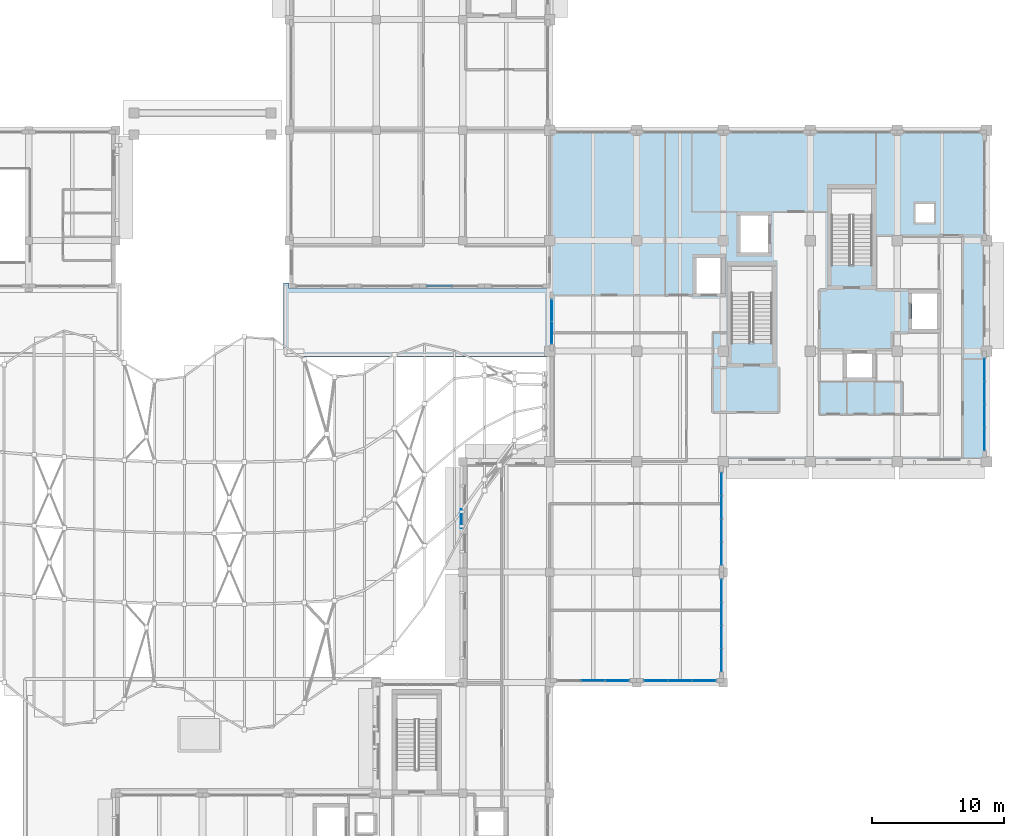
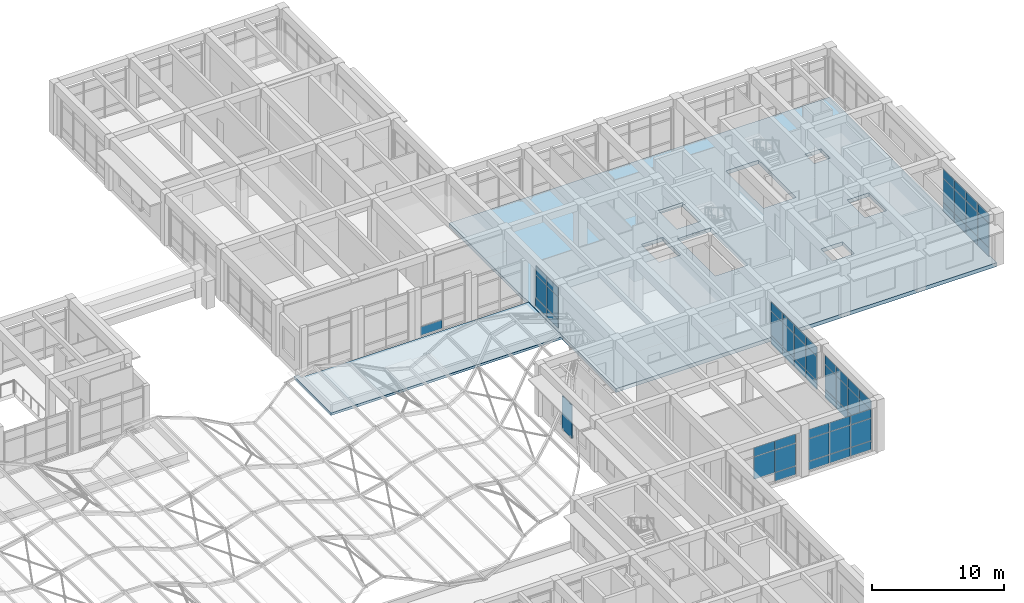
# One storey, part 42 of 79: 58 plates, 2 slabs, 7 elements without a shape of their own.
"""IFC4 building model written with IfcOpenShell, lengths in metres."""

import ifcopenshell
import ifcopenshell.guid

model = None  # the IFC model being written
_history = None  # IfcOwnerHistory: only IFC2X3 demands one
_inside = {}  # id of a spatial element -> (the spatial element, [elements in it])
_under = {}  # id of a project, library or spatial element -> (it, [spatial elements below it])
_declared = {}  # id of a project -> (the project, [libraries it declares])
_typed = {}  # id of a type object -> (the type object, [elements of that type])
_made_of = {}  # id of a material, layer set ... -> (it, [elements and type objects made of it])


def new_model(schema):
    """Start an empty IFC model of exactly this schema.

    Asked for "IFC4X3", IfcOpenShell would pick the latest addendum, in which some entities
    have other attributes; the version numbers below select the first issue.
    IFC2X3 requires an IfcOwnerHistory on every rooted entity: one is made here for all.
    """
    global model, _history
    if schema == "IFC4X3":
        model = ifcopenshell.file(schema_version=(4, 3, 0, 0))
    else:
        model = ifcopenshell.file(schema=schema)
    _inside.clear()
    _under.clear()
    _declared.clear()
    _typed.clear()
    _made_of.clear()
    _history = None
    if model.schema == "IFC2X3":
        org = make("IfcOrganization", Name="unknown")
        user = make(
            "IfcPersonAndOrganization",
            ThePerson=make("IfcPerson", FamilyName="unknown"),
            TheOrganization=org,
        )
        app = make(
            "IfcApplication",
            ApplicationDeveloper=org,
            Version="unknown",
            ApplicationFullName="unknown",
            ApplicationIdentifier="unknown",
        )
        _history = make(
            "IfcOwnerHistory",
            OwningUser=user,
            OwningApplication=app,
            ChangeAction="ADDED",
            CreationDate=0,
        )
    return model


def make(cls, **values):
    """One entity of the class cls with the attributes given. An attribute that is None is left unset."""
    return model.create_entity(
        cls, **{name: value for name, value in values.items() if value is not None}
    )


def rooted(cls, **values):
    """An entity with a GlobalId (a new one), such as an element, a storey or a relation."""
    return make(cls, GlobalId=ifcopenshell.guid.new(), OwnerHistory=_history, **values)


def si_unit(unit_type, name, prefix=None):
    """IfcSIUnit, for example si_unit("LENGTHUNIT", "METRE", prefix="MILLI")."""
    return make("IfcSIUnit", UnitType=unit_type, Prefix=prefix, Name=name)


def assignment(units):
    """IfcUnitAssignment: the units of a project."""
    return None if units is None else make("IfcUnitAssignment", Units=units)


def point(xyz):
    """IfcCartesianPoint."""
    return None if xyz is None else make("IfcCartesianPoint", Coordinates=xyz)


def direction(xyz):
    """IfcDirection."""
    return None if xyz is None else make("IfcDirection", DirectionRatios=xyz)


def frame(location, z_axis=None, x_axis=None):
    """IfcAxis2Placement3D, a coordinate frame: its origin and axes. An axis left out is left unset."""
    return make(
        "IfcAxis2Placement3D",
        Location=point(location),
        Axis=direction(z_axis),
        RefDirection=direction(x_axis),
    )


def frame_2d(location, x_axis=None):
    """IfcAxis2Placement2D, a coordinate frame in the plane: its origin and x axis."""
    return make(
        "IfcAxis2Placement2D", Location=point(location), RefDirection=direction(x_axis)
    )


def origin():
    """The frame at (0, 0, 0) with its axes left unset."""
    return frame((0.0, 0.0, 0.0))


def origin_2d():
    """The frame at (0, 0) in the plane with its x axis left unset."""
    return frame_2d((0.0, 0.0))


def place(relative_to, where):
    """IfcLocalPlacement: puts the frame where relative to a parent placement (None: the world)."""
    return make(
        "IfcLocalPlacement", PlacementRelTo=relative_to, RelativePlacement=where
    )


def context(
    kind, dimensions, precision=None, world=None, true_north=None, identifier=None
):
    """IfcGeometricRepresentationContext, for example the 3D "Model" context."""
    return make(
        "IfcGeometricRepresentationContext",
        ContextIdentifier=identifier,
        ContextType=kind,
        CoordinateSpaceDimension=dimensions,
        Precision=precision,
        WorldCoordinateSystem=world,
        TrueNorth=true_north,
    )


def subcontext(parent, identifier, kind, view, scale=None):
    """IfcGeometricRepresentationSubContext, for example "Body" below "Model"."""
    return make(
        "IfcGeometricRepresentationSubContext",
        ContextIdentifier=identifier,
        ContextType=kind,
        ParentContext=parent,
        TargetScale=scale,
        TargetView=view,
    )


def project(units=None, contexts=None):
    """IfcProject with its units and contexts."""
    return rooted(
        "IfcProject",
        Name="project",
        RepresentationContexts=contexts,
        UnitsInContext=assignment(units),
    )


def spatial(cls, under=None, at=None, **own):
    """A site, building, storey or space (cls), placed at a placement, below another one or the project."""
    s = rooted(cls, ObjectPlacement=at, **own)
    if under is not None:
        _under.setdefault(under.id(), (under, []))[1].append(s)
    return s


def polyline(points):
    """IfcPolyline through the points."""
    return make("IfcPolyline", Points=[point(p) for p in points])


def profile(cls, at=None, kind="AREA", **sizes):
    """A parametric profile (cls). Its sizes go by their IFC names, for example OverallWidth=200.0."""
    return make(cls, ProfileType=kind, Position=at, **sizes)


def rectangle(**sizes):
    """IfcRectangleProfileDef."""
    return profile("IfcRectangleProfileDef", **sizes)


def outline(outer, holes=None, kind="AREA"):
    """IfcArbitraryClosedProfileDef: a profile drawn as a closed curve; with holes, ...WithVoids."""
    if holes is None:
        return make("IfcArbitraryClosedProfileDef", ProfileType=kind, OuterCurve=outer)
    return make(
        "IfcArbitraryProfileDefWithVoids",
        ProfileType=kind,
        OuterCurve=outer,
        InnerCurves=holes,
    )


def extrude(swept, where, along, depth):
    """IfcExtrudedAreaSolid: the profile swept, set in the frame where, extruded along a direction by depth."""
    return make(
        "IfcExtrudedAreaSolid",
        SweptArea=swept,
        Position=where,
        ExtrudedDirection=direction(along),
        Depth=depth,
    )


def shape(context_of_items, identifier, shape_type, items):
    """IfcShapeRepresentation: the items that make up one representation, for example the "Body"."""
    return make(
        "IfcShapeRepresentation",
        ContextOfItems=context_of_items,
        RepresentationIdentifier=identifier,
        RepresentationType=shape_type,
        Items=items,
    )


def material(Name=None, Category=None):
    """IfcMaterial."""
    return make("IfcMaterial", Name=Name, Category=Category)


def layer(
    of_material, thickness, ventilated=None, Name=None, Category=None, Priority=None
):
    """IfcMaterialLayer: one layer of a wall or slab, of a material (None: an air gap)."""
    return make(
        "IfcMaterialLayer",
        Material=of_material,
        LayerThickness=thickness,
        IsVentilated=ventilated,
        Name=Name,
        Category=Category,
        Priority=Priority,
    )


def layer_set(layers, Name=None):
    """IfcMaterialLayerSet."""
    return make("IfcMaterialLayerSet", MaterialLayers=layers, LayerSetName=Name)


def made_of(thing, what):
    """Note that an element or type object is made of a material, layer set ...; save() writes the relation."""
    if what is not None:
        _made_of.setdefault(what.id(), (what, []))[1].append(thing)
    return thing


def type_object(cls, material=None, **own):
    """A type object (cls), such as IfcWallType, which elements share."""
    return made_of(rooted(cls, **own), material)


def element(
    cls,
    number,
    at=None,
    inside=None,
    cuts=None,
    type_object=None,
    material=None,
    context=None,
    identifier="Body",
    shape_type=None,
    held_by="IfcProductDefinitionShape",
    body=None,
    shapes=None,
    **own,
):
    """One element of the class cls, such as IfcWall. Its Tag is "e" and its number.

    at: its placement. inside: the storey or other place that contains it. cuts: it is an
    opening in that element (IfcRelVoidsElement). A single representation is given by context,
    identifier, shape_type and body (its items); several are given by shapes. held_by: the class
    of the entity that holds the representations. save() writes the other relations.
    """
    e = rooted(cls, Tag="e%d" % number, ObjectPlacement=at, **own)
    if body is not None:
        shapes = [shape(context, identifier, shape_type, body)]
    if shapes is not None:
        e.Representation = make(held_by, Representations=shapes)
    if inside is not None:
        _inside.setdefault(inside.id(), (inside, []))[1].append(e)
    if cuts is not None:
        rooted(
            "IfcRelVoidsElement", RelatingBuildingElement=cuts, RelatedOpeningElement=e
        )
    if type_object is not None:
        _typed.setdefault(type_object.id(), (type_object, []))[1].append(e)
    return made_of(e, material)


def aggregate(whole, parts):
    """IfcRelAggregates: a whole, such as a stair, and the parts it consists of."""
    return rooted("IfcRelAggregates", RelatingObject=whole, RelatedObjects=parts)


def save(model, path):
    """Write the relations noted so far, then the file.

    IfcRelAggregates (storeys below a building ...), IfcRelContainedInSpatialStructure (elements
    in a storey), IfcRelDefinesByType, IfcRelAssociatesMaterial and IfcRelDeclares: one each for
    every whole, place, type object, material and project.
    """
    for whole, parts in _under.values():
        aggregate(whole, parts)
    for where, things in _inside.values():
        rooted(
            "IfcRelContainedInSpatialStructure",
            RelatedElements=things,
            RelatingStructure=where,
        )
    for kind, things in _typed.values():
        rooted("IfcRelDefinesByType", RelatedObjects=things, RelatingType=kind)
    for what, things in _made_of.values():
        rooted("IfcRelAssociatesMaterial", RelatedObjects=things, RelatingMaterial=what)
    for by, libraries in _declared.values():
        rooted("IfcRelDeclares", RelatingContext=by, RelatedDefinitions=libraries)
    model.write(path)


model = new_model("IFC4")

# Units and contexts
model_context = context("Model", 3, precision=1e-05, world=origin(), true_north=direction((0.0, 1.0)))
body_context = subcontext(model_context, "Body", "Model", "MODEL_VIEW")
ifc_project = project(units=[si_unit("LENGTHUNIT", "METRE"), si_unit("AREAUNIT", "SQUARE_METRE"), si_unit("VOLUMEUNIT", "CUBIC_METRE"), si_unit("PLANEANGLEUNIT", "RADIAN"), si_unit("MASSUNIT", "GRAM", prefix="KILO")], contexts=[model_context])

# Site, building, storey
site_placement = place(None, origin())
site = spatial("IfcSite", under=ifc_project, at=site_placement, CompositionType="ELEMENT")
building_placement = place(site_placement, origin())
building = spatial("IfcBuilding", under=site, at=building_placement, Name="Kolvaren Faculty of Natural Sciences", CompositionType="ELEMENT")
storey_placement = place(building_placement, frame((0.0, 0.0, 10.199951171875)))
storey = spatial("IfcBuildingStorey", under=building, at=storey_placement, Name="L02", CompositionType="ELEMENT", Elevation=10.199951171875)

# Curtain wall, plates
ifc_material_1 = material(Name="Thermally broken anodised aluminium framing", Category="aluminium")
ifc_layer_1 = layer(ifc_material_1, 0.179931640625)
ifc_layer_set_1 = layer_set([ifc_layer_1], Name="Thermally broken anodised aluminium framing")
curtain_wall_type_1 = type_object("IfcCurtainWallType", Name="CommonsCurtainWall_CW02", PredefinedType="NOTDEFINED", material=ifc_layer_set_1)
curtain_wall_1_placement = place(storey_placement, origin())
curtain_wall_1 = element("IfcCurtainWall", 1, at=curtain_wall_1_placement, inside=storey, type_object=curtain_wall_type_1, Name="L02 unitised curtain wall CW-02 (CW-L02-084)", PredefinedType="NOTDEFINED")
ifc_material_2 = material(Name="Double low-E solar control insulated glazing", Category="glass")
ifc_layer_2 = layer(ifc_material_2, 0.035888671875)
ifc_layer_set_2 = layer_set([ifc_layer_2], Name="Double low-E solar control insulated glazing")
plate_type_1 = type_object("IfcPlateType", Name="EnvelopePlate_CWPGL1", PredefinedType="CURTAIN_PANEL", material=ifc_layer_set_2)
plate_1_placement = place(storey_placement, frame((138.949951171875, 68.800048828125, 0.920166015625), z_axis=(0.0, 0.0, 1.0), x_axis=(0.0, 1.0, 0.0)))
plate_1 = element("IfcPlate", 2, at=plate_1_placement, type_object=plate_type_1, Name="CW-L02-084 panel 1 V1", PredefinedType="CURTAIN_PANEL", context=body_context, shape_type="SweptSolid", body=[
    extrude(rectangle(XDim=1.64990234375, YDim=0.035888671875, at=origin_2d()), origin(), (0.0, 0.0, 1.0), 2.044921875),
])
plate_2_placement = place(storey_placement, frame((138.949951171875, 70.5, 0.920166015625), z_axis=(0.0, 0.0, 1.0), x_axis=(0.0, 1.0, 0.0)))
plate_2 = element("IfcPlate", 3, at=plate_2_placement, type_object=plate_type_1, Name="CW-L02-084 panel 2 V1", PredefinedType="CURTAIN_PANEL", context=body_context, shape_type="SweptSolid", body=[
    extrude(rectangle(XDim=1.64990234375, YDim=0.035888671875, at=origin_2d()), origin(), (0.0, 0.0, 1.0), 2.044921875),
])

ifc_layer_3 = layer(ifc_material_1, 0.179931640625)
ifc_layer_set_3 = layer_set([ifc_layer_3], Name="Thermally broken anodised aluminium framing")
curtain_wall_type_2 = type_object("IfcCurtainWallType", Name="TowerNorthCurtainWall_CW03", PredefinedType="NOTDEFINED", material=ifc_layer_set_3)
curtain_wall_2_placement = place(storey_placement, origin())
curtain_wall_2 = element("IfcCurtainWall", 4, at=curtain_wall_2_placement, inside=storey, type_object=curtain_wall_type_2, Name="L02 unitised curtain wall CW-03 (CW-L02-103)", PredefinedType="NOTDEFINED")
plate_3_placement = place(storey_placement, frame((171.85009765625, 65.97509765625, 0.919921875), z_axis=(0.0, 0.0, 1.0), x_axis=(0.0, -1.0, 0.0)))
plate_3 = element("IfcPlate", 5, at=plate_3_placement, type_object=plate_type_1, Name="CW-L02-103 panel 1 V1", PredefinedType="CURTAIN_PANEL", context=body_context, shape_type="SweptSolid", body=[
    extrude(rectangle(XDim=1.699951171875, YDim=0.035888671875, at=origin_2d()), origin(), (0.0, 0.0, 1.0), 2.195068359375),
])
plate_4_placement = place(storey_placement, frame((171.85009765625, 64.22509765625, 0.919921875), z_axis=(0.0, 0.0, 1.0), x_axis=(0.0, -1.0, 0.0)))
plate_4 = element("IfcPlate", 6, at=plate_4_placement, type_object=plate_type_1, Name="CW-L02-103 panel 2 V1", PredefinedType="CURTAIN_PANEL", context=body_context, shape_type="SweptSolid", body=[
    extrude(rectangle(XDim=1.699951171875, YDim=0.035888671875, at=origin_2d()), origin(), (0.0, 0.0, 1.0), 2.195068359375),
])
plate_5_placement = place(storey_placement, frame((171.85009765625, 62.47509765625, 0.919921875), z_axis=(0.0, 0.0, 1.0), x_axis=(0.0, -1.0, 0.0)))
plate_5 = element("IfcPlate", 7, at=plate_5_placement, type_object=plate_type_1, Name="CW-L02-103 panel 3 V1", PredefinedType="CURTAIN_PANEL", context=body_context, shape_type="SweptSolid", body=[
    extrude(rectangle(XDim=1.699951171875, YDim=0.035888671875, at=origin_2d()), origin(), (0.0, 0.0, 1.0), 2.195068359375),
])
plate_6_placement = place(storey_placement, frame((171.85009765625, 60.72509765625, 0.919921875), z_axis=(0.0, 0.0, 1.0), x_axis=(0.0, -1.0, 0.0)))
plate_6 = element("IfcPlate", 8, at=plate_6_placement, type_object=plate_type_1, Name="CW-L02-103 panel 4 V1", PredefinedType="CURTAIN_PANEL", context=body_context, shape_type="SweptSolid", body=[
    extrude(rectangle(XDim=1.699951171875, YDim=0.035888671875, at=origin_2d()), origin(), (0.0, 0.0, 1.0), 2.195068359375),
])

curtain_wall_3_placement = place(storey_placement, origin())
curtain_wall_3 = element("IfcCurtainWall", 9, at=curtain_wall_3_placement, inside=storey, type_object=curtain_wall_type_2, Name="L02 unitised curtain wall CW-03 (CW-L02-104)", PredefinedType="NOTDEFINED")
plate_7_placement = place(storey_placement, frame((151.85009765625, 57.27490234375, 0.919921875), z_axis=(0.0, 0.0, 1.0), x_axis=(0.0, -1.0, 0.0)))
plate_7 = element("IfcPlate", 10, at=plate_7_placement, type_object=plate_type_1, Name="CW-L02-104 panel 1 V1", PredefinedType="CURTAIN_PANEL", context=body_context, shape_type="SweptSolid", body=[
    extrude(rectangle(XDim=1.699951171875, YDim=0.035888671875, at=origin_2d()), origin(), (0.0, 0.0, 1.0), 2.195068359375),
])
plate_8_placement = place(storey_placement, frame((151.85009765625, 55.52490234375, 0.919921875), z_axis=(0.0, 0.0, 1.0), x_axis=(0.0, -1.0, 0.0)))
plate_8 = element("IfcPlate", 11, at=plate_8_placement, type_object=plate_type_1, Name="CW-L02-104 panel 2 V1", PredefinedType="CURTAIN_PANEL", context=body_context, shape_type="SweptSolid", body=[
    extrude(rectangle(XDim=1.699951171875, YDim=0.035888671875, at=origin_2d()), origin(), (0.0, 0.0, 1.0), 2.195068359375),
])
plate_9_placement = place(storey_placement, frame((151.85009765625, 53.77490234375, 0.919921875), z_axis=(0.0, 0.0, 1.0), x_axis=(0.0, -1.0, 0.0)))
plate_9 = element("IfcPlate", 12, at=plate_9_placement, type_object=plate_type_1, Name="CW-L02-104 panel 3 V1", PredefinedType="CURTAIN_PANEL", context=body_context, shape_type="SweptSolid", body=[
    extrude(rectangle(XDim=1.699951171875, YDim=0.035888671875, at=origin_2d()), origin(), (0.0, 0.0, 1.0), 2.195068359375),
])
plate_10_placement = place(storey_placement, frame((151.85009765625, 52.02490234375, 0.919921875), z_axis=(0.0, 0.0, 1.0), x_axis=(0.0, -1.0, 0.0)))
plate_10 = element("IfcPlate", 13, at=plate_10_placement, type_object=plate_type_1, Name="CW-L02-104 panel 4 V1", PredefinedType="CURTAIN_PANEL", context=body_context, shape_type="SweptSolid", body=[
    extrude(rectangle(XDim=1.699951171875, YDim=0.035888671875, at=origin_2d()), origin(), (0.0, 0.0, 1.0), 2.195068359375),
])

curtain_wall_4_placement = place(storey_placement, origin())
curtain_wall_4 = element("IfcCurtainWall", 14, at=curtain_wall_4_placement, inside=storey, type_object=curtain_wall_type_2, Name="L02 unitised curtain wall CW-03 (CW-L02-105)", PredefinedType="NOTDEFINED")
plate_11_placement = place(storey_placement, frame((151.85009765625, 49.175048828125, 0.919921875), z_axis=(0.0, 0.0, 1.0), x_axis=(0.0, -1.0, 0.0)))
plate_11 = element("IfcPlate", 15, at=plate_11_placement, type_object=plate_type_1, Name="CW-L02-105 panel 1 V1", PredefinedType="CURTAIN_PANEL", context=body_context, shape_type="SweptSolid", body=[
    extrude(rectangle(XDim=1.699951171875, YDim=0.035888671875, at=origin_2d()), origin(), (0.0, 0.0, 1.0), 2.195068359375),
])
plate_12_placement = place(storey_placement, frame((151.85009765625, 47.425048828125, 0.919921875), z_axis=(0.0, 0.0, 1.0), x_axis=(0.0, -1.0, 0.0)))
plate_12 = element("IfcPlate", 16, at=plate_12_placement, type_object=plate_type_1, Name="CW-L02-105 panel 2 V1", PredefinedType="CURTAIN_PANEL", context=body_context, shape_type="SweptSolid", body=[
    extrude(rectangle(XDim=1.699951171875, YDim=0.035888671875, at=origin_2d()), origin(), (0.0, 0.0, 1.0), 2.195068359375),
])
plate_13_placement = place(storey_placement, frame((151.85009765625, 45.675048828125, 0.919921875), z_axis=(0.0, 0.0, 1.0), x_axis=(0.0, -1.0, 0.0)))
plate_13 = element("IfcPlate", 17, at=plate_13_placement, type_object=plate_type_1, Name="CW-L02-105 panel 3 V1", PredefinedType="CURTAIN_PANEL", context=body_context, shape_type="SweptSolid", body=[
    extrude(rectangle(XDim=1.699951171875, YDim=0.035888671875, at=origin_2d()), origin(), (0.0, 0.0, 1.0), 2.195068359375),
])
plate_14_placement = place(storey_placement, frame((151.85009765625, 43.925048828125, 0.919921875), z_axis=(0.0, 0.0, 1.0), x_axis=(0.0, -1.0, 0.0)))
plate_14 = element("IfcPlate", 18, at=plate_14_placement, type_object=plate_type_1, Name="CW-L02-105 panel 4 V1", PredefinedType="CURTAIN_PANEL", context=body_context, shape_type="SweptSolid", body=[
    extrude(rectangle(XDim=1.699951171875, YDim=0.035888671875, at=origin_2d()), origin(), (0.0, 0.0, 1.0), 2.195068359375),
])

curtain_wall_5_placement = place(storey_placement, origin())
curtain_wall_5 = element("IfcCurtainWall", 19, at=curtain_wall_5_placement, inside=storey, type_object=curtain_wall_type_1, Name="L02 unitised curtain wall CW-02 (CW-L02-106)", PredefinedType="NOTDEFINED")
plate_15_placement = place(storey_placement, frame((150.533203125, 42.35009765625, 0.920166015625), z_axis=(0.0, 0.0, 1.0), x_axis=(-1.0, 0.0, 0.0)))
plate_15 = element("IfcPlate", 20, at=plate_15_placement, type_object=plate_type_1, Name="CW-L02-106 panel 1 V1", PredefinedType="CURTAIN_PANEL", context=body_context, shape_type="SweptSolid", body=[
    extrude(rectangle(XDim=1.783203125, YDim=0.035888671875, at=origin_2d()), origin(), (0.0, 0.0, 1.0), 2.044921875),
])
plate_16_placement = place(storey_placement, frame((148.699951171875, 42.35009765625, 0.920166015625), z_axis=(0.0, 0.0, 1.0), x_axis=(-1.0, 0.0, 0.0)))
plate_16 = element("IfcPlate", 21, at=plate_16_placement, type_object=plate_type_1, Name="CW-L02-106 panel 2 V1", PredefinedType="CURTAIN_PANEL", context=body_context, shape_type="SweptSolid", body=[
    extrude(rectangle(XDim=1.783203125, YDim=0.035888671875, at=origin_2d()), origin(), (0.0, 0.0, 1.0), 2.044921875),
])
plate_17_placement = place(storey_placement, frame((146.86669921875, 42.35009765625, 0.920166015625), z_axis=(0.0, 0.0, 1.0), x_axis=(-1.0, 0.0, 0.0)))
plate_17 = element("IfcPlate", 22, at=plate_17_placement, type_object=plate_type_1, Name="CW-L02-106 panel 3 V1", PredefinedType="CURTAIN_PANEL", context=body_context, shape_type="SweptSolid", body=[
    extrude(rectangle(XDim=1.783203125, YDim=0.035888671875, at=origin_2d()), origin(), (0.0, 0.0, 1.0), 2.044921875),
])

curtain_wall_6_placement = place(storey_placement, origin())
curtain_wall_6 = element("IfcCurtainWall", 23, at=curtain_wall_6_placement, inside=storey, type_object=curtain_wall_type_1, Name="L02 unitised curtain wall CW-02 (CW-L02-107)", PredefinedType="NOTDEFINED")
plate_18_placement = place(storey_placement, frame((143.933349609375, 42.35009765625, 0.920166015625), z_axis=(0.0, 0.0, 1.0), x_axis=(-1.0, 0.0, 0.0)))
plate_18 = element("IfcPlate", 24, at=plate_18_placement, type_object=plate_type_1, Name="CW-L02-107 panel 1 V1", PredefinedType="CURTAIN_PANEL", context=body_context, shape_type="SweptSolid", body=[
    extrude(rectangle(XDim=1.783203125, YDim=0.035888671875, at=origin_2d()), origin(), (0.0, 0.0, 1.0), 2.044921875),
])
plate_19_placement = place(storey_placement, frame((142.10009765625, 42.35009765625, 0.920166015625), z_axis=(0.0, 0.0, 1.0), x_axis=(-1.0, 0.0, 0.0)))
plate_19 = element("IfcPlate", 25, at=plate_19_placement, type_object=plate_type_1, Name="CW-L02-107 panel 2 V1", PredefinedType="CURTAIN_PANEL", context=body_context, shape_type="SweptSolid", body=[
    extrude(rectangle(XDim=1.783203125, YDim=0.035888671875, at=origin_2d()), origin(), (0.0, 0.0, 1.0), 2.044921875),
])

# Plate
ifc_layer_4 = layer(ifc_material_2, 0.035888671875)
ifc_layer_set_4 = layer_set([ifc_layer_4], Name="Double low-E solar control insulated glazing")
plate_type_2 = type_object("IfcPlateType", Name="EnvelopePlate_CWPGL2", PredefinedType="CURTAIN_PANEL", material=ifc_layer_set_4)
plate_20_placement = place(storey_placement, frame((138.949951171875, 68.800048828125, 3.005126953125), z_axis=(0.0, 0.0, 1.0), x_axis=(0.0, 1.0, 0.0)))
plate_20 = element("IfcPlate", 26, at=plate_20_placement, type_object=plate_type_2, Name="CW-L02-084 panel 1 V2", PredefinedType="CURTAIN_PANEL", context=body_context, shape_type="SweptSolid", body=[
    extrude(rectangle(XDim=1.64990234375, YDim=0.035888671875, at=origin_2d()), origin(), (0.0, 0.0, 1.0), 0.830078125),
])

plate_21_placement = place(storey_placement, frame((138.949951171875, 70.5, 3.005126953125), z_axis=(0.0, 0.0, 1.0), x_axis=(0.0, 1.0, 0.0)))
plate_21 = element("IfcPlate", 27, at=plate_21_placement, type_object=plate_type_2, Name="CW-L02-084 panel 2 V2", PredefinedType="CURTAIN_PANEL", context=body_context, shape_type="SweptSolid", body=[
    extrude(rectangle(XDim=1.64990234375, YDim=0.035888671875, at=origin_2d()), origin(), (0.0, 0.0, 1.0), 0.830078125),
])

plate_22_placement = place(storey_placement, frame((171.85009765625, 65.97509765625, 3.155029296875), z_axis=(0.0, 0.0, 1.0), x_axis=(0.0, -1.0, 0.0)))
plate_22 = element("IfcPlate", 28, at=plate_22_placement, type_object=plate_type_2, Name="CW-L02-103 panel 1 V2", PredefinedType="CURTAIN_PANEL", context=body_context, shape_type="SweptSolid", body=[
    extrude(rectangle(XDim=1.699951171875, YDim=0.035888671875, at=origin_2d()), origin(), (0.0, 0.0, 1.0), 0.830078125),
])

plate_23_placement = place(storey_placement, frame((171.85009765625, 64.22509765625, 3.155029296875), z_axis=(0.0, 0.0, 1.0), x_axis=(0.0, -1.0, 0.0)))
plate_23 = element("IfcPlate", 29, at=plate_23_placement, type_object=plate_type_2, Name="CW-L02-103 panel 2 V2", PredefinedType="CURTAIN_PANEL", context=body_context, shape_type="SweptSolid", body=[
    extrude(rectangle(XDim=1.699951171875, YDim=0.035888671875, at=origin_2d()), origin(), (0.0, 0.0, 1.0), 0.830078125),
])

plate_24_placement = place(storey_placement, frame((171.85009765625, 62.47509765625, 3.155029296875), z_axis=(0.0, 0.0, 1.0), x_axis=(0.0, -1.0, 0.0)))
plate_24 = element("IfcPlate", 30, at=plate_24_placement, type_object=plate_type_2, Name="CW-L02-103 panel 3 V2", PredefinedType="CURTAIN_PANEL", context=body_context, shape_type="SweptSolid", body=[
    extrude(rectangle(XDim=1.699951171875, YDim=0.035888671875, at=origin_2d()), origin(), (0.0, 0.0, 1.0), 0.830078125),
])

plate_25_placement = place(storey_placement, frame((171.85009765625, 60.72509765625, 3.155029296875), z_axis=(0.0, 0.0, 1.0), x_axis=(0.0, -1.0, 0.0)))
plate_25 = element("IfcPlate", 31, at=plate_25_placement, type_object=plate_type_2, Name="CW-L02-103 panel 4 V2", PredefinedType="CURTAIN_PANEL", context=body_context, shape_type="SweptSolid", body=[
    extrude(rectangle(XDim=1.699951171875, YDim=0.035888671875, at=origin_2d()), origin(), (0.0, 0.0, 1.0), 0.830078125),
])

plate_26_placement = place(storey_placement, frame((151.85009765625, 57.27490234375, 3.155029296875), z_axis=(0.0, 0.0, 1.0), x_axis=(0.0, -1.0, 0.0)))
plate_26 = element("IfcPlate", 32, at=plate_26_placement, type_object=plate_type_2, Name="CW-L02-104 panel 1 V2", PredefinedType="CURTAIN_PANEL", context=body_context, shape_type="SweptSolid", body=[
    extrude(rectangle(XDim=1.699951171875, YDim=0.035888671875, at=origin_2d()), origin(), (0.0, 0.0, 1.0), 0.830078125),
])

plate_27_placement = place(storey_placement, frame((151.85009765625, 55.52490234375, 3.155029296875), z_axis=(0.0, 0.0, 1.0), x_axis=(0.0, -1.0, 0.0)))
plate_27 = element("IfcPlate", 33, at=plate_27_placement, type_object=plate_type_2, Name="CW-L02-104 panel 2 V2", PredefinedType="CURTAIN_PANEL", context=body_context, shape_type="SweptSolid", body=[
    extrude(rectangle(XDim=1.699951171875, YDim=0.035888671875, at=origin_2d()), origin(), (0.0, 0.0, 1.0), 0.830078125),
])

plate_28_placement = place(storey_placement, frame((151.85009765625, 53.77490234375, 3.155029296875), z_axis=(0.0, 0.0, 1.0), x_axis=(0.0, -1.0, 0.0)))
plate_28 = element("IfcPlate", 34, at=plate_28_placement, type_object=plate_type_2, Name="CW-L02-104 panel 3 V2", PredefinedType="CURTAIN_PANEL", context=body_context, shape_type="SweptSolid", body=[
    extrude(rectangle(XDim=1.699951171875, YDim=0.035888671875, at=origin_2d()), origin(), (0.0, 0.0, 1.0), 0.830078125),
])

plate_29_placement = place(storey_placement, frame((151.85009765625, 52.02490234375, 3.155029296875), z_axis=(0.0, 0.0, 1.0), x_axis=(0.0, -1.0, 0.0)))
plate_29 = element("IfcPlate", 35, at=plate_29_placement, type_object=plate_type_2, Name="CW-L02-104 panel 4 V2", PredefinedType="CURTAIN_PANEL", context=body_context, shape_type="SweptSolid", body=[
    extrude(rectangle(XDim=1.699951171875, YDim=0.035888671875, at=origin_2d()), origin(), (0.0, 0.0, 1.0), 0.830078125),
])

plate_30_placement = place(storey_placement, frame((151.85009765625, 49.175048828125, 3.155029296875), z_axis=(0.0, 0.0, 1.0), x_axis=(0.0, -1.0, 0.0)))
plate_30 = element("IfcPlate", 36, at=plate_30_placement, type_object=plate_type_2, Name="CW-L02-105 panel 1 V2", PredefinedType="CURTAIN_PANEL", context=body_context, shape_type="SweptSolid", body=[
    extrude(rectangle(XDim=1.699951171875, YDim=0.035888671875, at=origin_2d()), origin(), (0.0, 0.0, 1.0), 0.830078125),
])

plate_31_placement = place(storey_placement, frame((151.85009765625, 47.425048828125, 3.155029296875), z_axis=(0.0, 0.0, 1.0), x_axis=(0.0, -1.0, 0.0)))
plate_31 = element("IfcPlate", 37, at=plate_31_placement, type_object=plate_type_2, Name="CW-L02-105 panel 2 V2", PredefinedType="CURTAIN_PANEL", context=body_context, shape_type="SweptSolid", body=[
    extrude(rectangle(XDim=1.699951171875, YDim=0.035888671875, at=origin_2d()), origin(), (0.0, 0.0, 1.0), 0.830078125),
])

plate_32_placement = place(storey_placement, frame((151.85009765625, 45.675048828125, 3.155029296875), z_axis=(0.0, 0.0, 1.0), x_axis=(0.0, -1.0, 0.0)))
plate_32 = element("IfcPlate", 38, at=plate_32_placement, type_object=plate_type_2, Name="CW-L02-105 panel 3 V2", PredefinedType="CURTAIN_PANEL", context=body_context, shape_type="SweptSolid", body=[
    extrude(rectangle(XDim=1.699951171875, YDim=0.035888671875, at=origin_2d()), origin(), (0.0, 0.0, 1.0), 0.830078125),
])

plate_33_placement = place(storey_placement, frame((151.85009765625, 43.925048828125, 3.155029296875), z_axis=(0.0, 0.0, 1.0), x_axis=(0.0, -1.0, 0.0)))
plate_33 = element("IfcPlate", 39, at=plate_33_placement, type_object=plate_type_2, Name="CW-L02-105 panel 4 V2", PredefinedType="CURTAIN_PANEL", context=body_context, shape_type="SweptSolid", body=[
    extrude(rectangle(XDim=1.699951171875, YDim=0.035888671875, at=origin_2d()), origin(), (0.0, 0.0, 1.0), 0.830078125),
])

plate_34_placement = place(storey_placement, frame((150.533203125, 42.35009765625, 3.005126953125), z_axis=(0.0, 0.0, 1.0), x_axis=(-1.0, 0.0, 0.0)))
plate_34 = element("IfcPlate", 40, at=plate_34_placement, type_object=plate_type_2, Name="CW-L02-106 panel 1 V2", PredefinedType="CURTAIN_PANEL", context=body_context, shape_type="SweptSolid", body=[
    extrude(rectangle(XDim=1.783203125, YDim=0.035888671875, at=origin_2d()), origin(), (0.0, 0.0, 1.0), 0.830078125),
])

plate_35_placement = place(storey_placement, frame((148.699951171875, 42.35009765625, 3.005126953125), z_axis=(0.0, 0.0, 1.0), x_axis=(-1.0, 0.0, 0.0)))
plate_35 = element("IfcPlate", 41, at=plate_35_placement, type_object=plate_type_2, Name="CW-L02-106 panel 2 V2", PredefinedType="CURTAIN_PANEL", context=body_context, shape_type="SweptSolid", body=[
    extrude(rectangle(XDim=1.783203125, YDim=0.035888671875, at=origin_2d()), origin(), (0.0, 0.0, 1.0), 0.830078125),
])

plate_36_placement = place(storey_placement, frame((146.86669921875, 42.35009765625, 3.005126953125), z_axis=(0.0, 0.0, 1.0), x_axis=(-1.0, 0.0, 0.0)))
plate_36 = element("IfcPlate", 42, at=plate_36_placement, type_object=plate_type_2, Name="CW-L02-106 panel 3 V2", PredefinedType="CURTAIN_PANEL", context=body_context, shape_type="SweptSolid", body=[
    extrude(rectangle(XDim=1.783203125, YDim=0.035888671875, at=origin_2d()), origin(), (0.0, 0.0, 1.0), 0.830078125),
])

plate_37_placement = place(storey_placement, frame((143.933349609375, 42.35009765625, 3.005126953125), z_axis=(0.0, 0.0, 1.0), x_axis=(-1.0, 0.0, 0.0)))
plate_37 = element("IfcPlate", 43, at=plate_37_placement, type_object=plate_type_2, Name="CW-L02-107 panel 1 V2", PredefinedType="CURTAIN_PANEL", context=body_context, shape_type="SweptSolid", body=[
    extrude(rectangle(XDim=1.783203125, YDim=0.035888671875, at=origin_2d()), origin(), (0.0, 0.0, 1.0), 0.830078125),
])

plate_38_placement = place(storey_placement, frame((142.10009765625, 42.35009765625, 3.005126953125), z_axis=(0.0, 0.0, 1.0), x_axis=(-1.0, 0.0, 0.0)))
plate_38 = element("IfcPlate", 44, at=plate_38_placement, type_object=plate_type_2, Name="CW-L02-107 panel 2 V2", PredefinedType="CURTAIN_PANEL", context=body_context, shape_type="SweptSolid", body=[
    extrude(rectangle(XDim=1.783203125, YDim=0.035888671875, at=origin_2d()), origin(), (0.0, 0.0, 1.0), 0.830078125),
])

ifc_material_3 = material(Name="Insulated anodised aluminium spandrel panel", Category="aluminium")
ifc_layer_5 = layer(ifc_material_3, 0.050048828125)
ifc_layer_set_5 = layer_set([ifc_layer_5], Name="Insulated anodised aluminium spandrel panel")
plate_type_3 = type_object("IfcPlateType", Name="EnvelopePlate_CWPSP1", PredefinedType="SHEET", material=ifc_layer_set_5)
plate_39_placement = place(storey_placement, frame((138.949951171875, 68.800048828125, 0.10009765625), z_axis=(0.0, 0.0, 1.0), x_axis=(0.0, 1.0, 0.0)))
plate_39 = element("IfcPlate", 45, at=plate_39_placement, type_object=plate_type_3, Name="CW-L02-084 panel 1 SP", PredefinedType="SHEET", context=body_context, shape_type="SweptSolid", body=[
    extrude(rectangle(XDim=1.64990234375, YDim=0.050048828125, at=origin_2d()), origin(), (0.0, 0.0, 1.0), 0.780029296875),
])

plate_40_placement = place(storey_placement, frame((138.949951171875, 70.5, 0.10009765625), z_axis=(0.0, 0.0, 1.0), x_axis=(0.0, 1.0, 0.0)))
plate_40 = element("IfcPlate", 46, at=plate_40_placement, type_object=plate_type_3, Name="CW-L02-084 panel 2 SP", PredefinedType="SHEET", context=body_context, shape_type="SweptSolid", body=[
    extrude(rectangle(XDim=1.64990234375, YDim=0.050048828125, at=origin_2d()), origin(), (0.0, 0.0, 1.0), 0.780029296875),
])

aggregate(curtain_wall_1, [plate_39, plate_1, plate_20, plate_40, plate_2, plate_21])

# Curtain wall, plate
curtain_wall_7_placement = place(storey_placement, origin())
curtain_wall_7 = element("IfcCurtainWall", 47, at=curtain_wall_7_placement, inside=storey, type_object=curtain_wall_type_1, Name="L02 unitised curtain wall CW-02 (CW-L02-086)", PredefinedType="NOTDEFINED")
plate_41_placement = place(storey_placement, frame((130.41259765625, 72.35009765625, 0.10009765625), z_axis=(0.0, 0.0, 1.0), x_axis=(-1.0, 0.0, 0.0)))
plate_41 = element("IfcPlate", 48, at=plate_41_placement, type_object=plate_type_3, Name="CW-L02-086 panel 2 SP", PredefinedType="SHEET", context=body_context, shape_type="SweptSolid", body=[
    extrude(rectangle(XDim=1.875, YDim=0.050048828125, at=origin_2d()), origin(), (0.0, 0.0, 1.0), 0.780029296875),
])
aggregate(curtain_wall_7, [plate_41])

# Plate
plate_42_placement = place(storey_placement, frame((171.85009765625, 65.97509765625, 0.10009765625), z_axis=(0.0, 0.0, 1.0), x_axis=(0.0, -1.0, 0.0)))
plate_42 = element("IfcPlate", 49, at=plate_42_placement, type_object=plate_type_3, Name="CW-L02-103 panel 1 SP", PredefinedType="SHEET", context=body_context, shape_type="SweptSolid", body=[
    extrude(rectangle(XDim=1.699951171875, YDim=0.050048828125, at=origin_2d()), origin(), (0.0, 0.0, 1.0), 0.780029296875),
])

plate_43_placement = place(storey_placement, frame((171.85009765625, 64.22509765625, 0.10009765625), z_axis=(0.0, 0.0, 1.0), x_axis=(0.0, -1.0, 0.0)))
plate_43 = element("IfcPlate", 50, at=plate_43_placement, type_object=plate_type_3, Name="CW-L02-103 panel 2 SP", PredefinedType="SHEET", context=body_context, shape_type="SweptSolid", body=[
    extrude(rectangle(XDim=1.699951171875, YDim=0.050048828125, at=origin_2d()), origin(), (0.0, 0.0, 1.0), 0.780029296875),
])

plate_44_placement = place(storey_placement, frame((171.85009765625, 62.47509765625, 0.10009765625), z_axis=(0.0, 0.0, 1.0), x_axis=(0.0, -1.0, 0.0)))
plate_44 = element("IfcPlate", 51, at=plate_44_placement, type_object=plate_type_3, Name="CW-L02-103 panel 3 SP", PredefinedType="SHEET", context=body_context, shape_type="SweptSolid", body=[
    extrude(rectangle(XDim=1.699951171875, YDim=0.050048828125, at=origin_2d()), origin(), (0.0, 0.0, 1.0), 0.780029296875),
])

plate_45_placement = place(storey_placement, frame((171.85009765625, 60.72509765625, 0.10009765625), z_axis=(0.0, 0.0, 1.0), x_axis=(0.0, -1.0, 0.0)))
plate_45 = element("IfcPlate", 52, at=plate_45_placement, type_object=plate_type_3, Name="CW-L02-103 panel 4 SP", PredefinedType="SHEET", context=body_context, shape_type="SweptSolid", body=[
    extrude(rectangle(XDim=1.699951171875, YDim=0.050048828125, at=origin_2d()), origin(), (0.0, 0.0, 1.0), 0.780029296875),
])

aggregate(curtain_wall_2, [plate_42, plate_3, plate_22, plate_43, plate_4, plate_23, plate_44, plate_5, plate_24, plate_45, plate_6, plate_25])

plate_46_placement = place(storey_placement, frame((151.85009765625, 57.27490234375, 0.10009765625), z_axis=(0.0, 0.0, 1.0), x_axis=(0.0, -1.0, 0.0)))
plate_46 = element("IfcPlate", 53, at=plate_46_placement, type_object=plate_type_3, Name="CW-L02-104 panel 1 SP", PredefinedType="SHEET", context=body_context, shape_type="SweptSolid", body=[
    extrude(rectangle(XDim=1.699951171875, YDim=0.050048828125, at=origin_2d()), origin(), (0.0, 0.0, 1.0), 0.780029296875),
])

plate_47_placement = place(storey_placement, frame((151.85009765625, 55.52490234375, 0.10009765625), z_axis=(0.0, 0.0, 1.0), x_axis=(0.0, -1.0, 0.0)))
plate_47 = element("IfcPlate", 54, at=plate_47_placement, type_object=plate_type_3, Name="CW-L02-104 panel 2 SP", PredefinedType="SHEET", context=body_context, shape_type="SweptSolid", body=[
    extrude(rectangle(XDim=1.699951171875, YDim=0.050048828125, at=origin_2d()), origin(), (0.0, 0.0, 1.0), 0.780029296875),
])

plate_48_placement = place(storey_placement, frame((151.85009765625, 53.77490234375, 0.10009765625), z_axis=(0.0, 0.0, 1.0), x_axis=(0.0, -1.0, 0.0)))
plate_48 = element("IfcPlate", 55, at=plate_48_placement, type_object=plate_type_3, Name="CW-L02-104 panel 3 SP", PredefinedType="SHEET", context=body_context, shape_type="SweptSolid", body=[
    extrude(rectangle(XDim=1.699951171875, YDim=0.050048828125, at=origin_2d()), origin(), (0.0, 0.0, 1.0), 0.780029296875),
])

plate_49_placement = place(storey_placement, frame((151.85009765625, 52.02490234375, 0.10009765625), z_axis=(0.0, 0.0, 1.0), x_axis=(0.0, -1.0, 0.0)))
plate_49 = element("IfcPlate", 56, at=plate_49_placement, type_object=plate_type_3, Name="CW-L02-104 panel 4 SP", PredefinedType="SHEET", context=body_context, shape_type="SweptSolid", body=[
    extrude(rectangle(XDim=1.699951171875, YDim=0.050048828125, at=origin_2d()), origin(), (0.0, 0.0, 1.0), 0.780029296875),
])

aggregate(curtain_wall_3, [plate_46, plate_7, plate_26, plate_47, plate_8, plate_27, plate_48, plate_9, plate_28, plate_49, plate_10, plate_29])

plate_50_placement = place(storey_placement, frame((151.85009765625, 49.175048828125, 0.10009765625), z_axis=(0.0, 0.0, 1.0), x_axis=(0.0, -1.0, 0.0)))
plate_50 = element("IfcPlate", 57, at=plate_50_placement, type_object=plate_type_3, Name="CW-L02-105 panel 1 SP", PredefinedType="SHEET", context=body_context, shape_type="SweptSolid", body=[
    extrude(rectangle(XDim=1.699951171875, YDim=0.050048828125, at=origin_2d()), origin(), (0.0, 0.0, 1.0), 0.780029296875),
])

plate_51_placement = place(storey_placement, frame((151.85009765625, 47.425048828125, 0.10009765625), z_axis=(0.0, 0.0, 1.0), x_axis=(0.0, -1.0, 0.0)))
plate_51 = element("IfcPlate", 58, at=plate_51_placement, type_object=plate_type_3, Name="CW-L02-105 panel 2 SP", PredefinedType="SHEET", context=body_context, shape_type="SweptSolid", body=[
    extrude(rectangle(XDim=1.699951171875, YDim=0.050048828125, at=origin_2d()), origin(), (0.0, 0.0, 1.0), 0.780029296875),
])

plate_52_placement = place(storey_placement, frame((151.85009765625, 45.675048828125, 0.10009765625), z_axis=(0.0, 0.0, 1.0), x_axis=(0.0, -1.0, 0.0)))
plate_52 = element("IfcPlate", 59, at=plate_52_placement, type_object=plate_type_3, Name="CW-L02-105 panel 3 SP", PredefinedType="SHEET", context=body_context, shape_type="SweptSolid", body=[
    extrude(rectangle(XDim=1.699951171875, YDim=0.050048828125, at=origin_2d()), origin(), (0.0, 0.0, 1.0), 0.780029296875),
])

plate_53_placement = place(storey_placement, frame((151.85009765625, 43.925048828125, 0.10009765625), z_axis=(0.0, 0.0, 1.0), x_axis=(0.0, -1.0, 0.0)))
plate_53 = element("IfcPlate", 60, at=plate_53_placement, type_object=plate_type_3, Name="CW-L02-105 panel 4 SP", PredefinedType="SHEET", context=body_context, shape_type="SweptSolid", body=[
    extrude(rectangle(XDim=1.699951171875, YDim=0.050048828125, at=origin_2d()), origin(), (0.0, 0.0, 1.0), 0.780029296875),
])

aggregate(curtain_wall_4, [plate_50, plate_11, plate_30, plate_51, plate_12, plate_31, plate_52, plate_13, plate_32, plate_53, plate_14, plate_33])

plate_54_placement = place(storey_placement, frame((150.533203125, 42.35009765625, 0.10009765625), z_axis=(0.0, 0.0, 1.0), x_axis=(-1.0, 0.0, 0.0)))
plate_54 = element("IfcPlate", 61, at=plate_54_placement, type_object=plate_type_3, Name="CW-L02-106 panel 1 SP", PredefinedType="SHEET", context=body_context, shape_type="SweptSolid", body=[
    extrude(rectangle(XDim=1.783203125, YDim=0.050048828125, at=origin_2d()), origin(), (0.0, 0.0, 1.0), 0.780029296875),
])

plate_55_placement = place(storey_placement, frame((148.699951171875, 42.35009765625, 0.10009765625), z_axis=(0.0, 0.0, 1.0), x_axis=(-1.0, 0.0, 0.0)))
plate_55 = element("IfcPlate", 62, at=plate_55_placement, type_object=plate_type_3, Name="CW-L02-106 panel 2 SP", PredefinedType="SHEET", context=body_context, shape_type="SweptSolid", body=[
    extrude(rectangle(XDim=1.783203125, YDim=0.050048828125, at=origin_2d()), origin(), (0.0, 0.0, 1.0), 0.780029296875),
])

plate_56_placement = place(storey_placement, frame((146.86669921875, 42.35009765625, 0.10009765625), z_axis=(0.0, 0.0, 1.0), x_axis=(-1.0, 0.0, 0.0)))
plate_56 = element("IfcPlate", 63, at=plate_56_placement, type_object=plate_type_3, Name="CW-L02-106 panel 3 SP", PredefinedType="SHEET", context=body_context, shape_type="SweptSolid", body=[
    extrude(rectangle(XDim=1.783203125, YDim=0.050048828125, at=origin_2d()), origin(), (0.0, 0.0, 1.0), 0.780029296875),
])

aggregate(curtain_wall_5, [plate_54, plate_15, plate_34, plate_55, plate_16, plate_35, plate_56, plate_17, plate_36])

plate_57_placement = place(storey_placement, frame((143.933349609375, 42.35009765625, 0.10009765625), z_axis=(0.0, 0.0, 1.0), x_axis=(-1.0, 0.0, 0.0)))
plate_57 = element("IfcPlate", 64, at=plate_57_placement, type_object=plate_type_3, Name="CW-L02-107 panel 1 SP", PredefinedType="SHEET", context=body_context, shape_type="SweptSolid", body=[
    extrude(rectangle(XDim=1.783203125, YDim=0.050048828125, at=origin_2d()), origin(), (0.0, 0.0, 1.0), 0.780029296875),
])

aggregate(curtain_wall_6, [plate_57, plate_18, plate_37, plate_19, plate_38])

ifc_material_4 = material(Name="Extruded architectural terracotta screen", Category="masonry")
ifc_layer_6 = layer(ifc_material_4, 0.06494140625)
ifc_layer_set_6 = layer_set([ifc_layer_6], Name="Extruded architectural terracotta screen")
plate_type_4 = type_object("IfcPlateType", Name="EnvelopePlate_JL03", PredefinedType="USERDEFINED", material=ifc_layer_set_6)
plate_58_placement = place(storey_placement, frame((132.06005859375, 54.64990234375, 0.85009765625), z_axis=(0.0, 0.0, 1.0), x_axis=(0.0, 1.0, 0.0)))
element("IfcPlate", 65, at=plate_58_placement, inside=storey, type_object=plate_type_4, Name="L02 perforated terracotta jali sun screen JL-03", ObjectType="SCREEN", PredefinedType="USERDEFINED", context=body_context, shape_type="SweptSolid", body=[
    extrude(rectangle(XDim=1.449951171875, YDim=0.06494140625, at=origin_2d()), origin(), (0.0, 0.0, 1.0), 3.10009765625),
])

# Slabs
ifc_material_5 = material(Name="Concrete C35/45", Category="concrete")
ifc_layer_7 = layer(ifc_material_5, 0.219970703125)
ifc_layer_set_7 = layer_set([ifc_layer_7], Name="Concrete C35/45")
slab_type_1 = type_object("IfcSlabType", Name="FlatWingRoofSlab_220", PredefinedType="ROOF", material=ifc_layer_set_7)
slab_1_placement = place(storey_placement, frame((0.0, 0.0, -0.219970703125)))
element("IfcSlab", 66, at=slab_1_placement, inside=storey, type_object=slab_type_1, Name="L02 flat reinforced concrete roof slab 4", PredefinedType="ROOF", context=body_context, shape_type="SweptSolid", body=[
    extrude(outline(polyline([(118.97998046875, 72.580078125), (118.97998046875, 72.199951171875), (118.97998046875, 72.197998046875), (118.98046875, 72.196044921875), (118.98095703125, 72.194091796875), (118.9814453125, 72.1923828125), (118.982421875, 72.190673828125), (118.9833984375, 72.18896484375), (118.984619140625, 72.187255859375), (118.98583984375, 72.185791015625), (118.9873046875, 72.1845703125), (118.989013671875, 72.183349609375), (118.990478515625, 72.182373046875), (118.9921875, 72.181396484375), (118.994140625, 72.180908203125), (118.99609375, 72.180419921875), (118.998046875, 72.18017578125), (119.0, 72.179931640625), (138.780029296875, 72.179931640625), (138.780029296875, 66.969970703125), (118.570068359375, 66.969970703125), (118.570068359375, 72.580078125), (118.97998046875, 72.580078125)])), origin(), (0.0, 0.0, 1.0), 0.219970703125),
])
ifc_material_6 = material(Name="Concrete C40/50", Category="concrete")
ifc_layer_8 = layer(ifc_material_6, 0.35009765625)
ifc_layer_set_8 = layer_set([ifc_layer_8], Name="Concrete C40/50")
slab_type_2 = type_object("IfcSlabType", Name="TransferSlab_350", PredefinedType="FLOOR", material=ifc_layer_set_8)
slab_2_placement = place(storey_placement, frame((0.0, 0.0, -0.349853515625)))
element("IfcSlab", 67, at=slab_2_placement, inside=storey, type_object=slab_type_2, Name="L02 V6 structural slab 1", PredefinedType="FLOOR", context=body_context, shape_type="SweptSolid", body=[
    extrude(outline(polyline([(138.800048828125, 59.0), (138.800048828125, 84.199951171875), (172.0, 84.199951171875), (172.0, 59.0), (138.800048828125, 59.0)]), holes=[polyline([(168.25, 71.800048828125), (166.35009765625, 71.800048828125), (166.35009765625, 69.10009765625), (168.25, 69.10009765625), (168.25, 71.800048828125)]), polyline([(168.0, 77.199951171875), (168.0, 78.60009765625), (166.60009765625, 78.60009765625), (166.60009765625, 77.199951171875), (168.0, 77.199951171875)]), polyline([(163.300048828125, 67.199951171875), (161.39990234375, 67.199951171875), (161.39990234375, 65.39990234375), (163.300048828125, 65.39990234375), (163.300048828125, 67.199951171875)]), polyline([(163.179931640625, 74.02001953125), (163.179931640625, 79.679931640625), (160.320068359375, 79.679931640625), (160.320068359375, 74.02001953125), (163.179931640625, 74.02001953125)]), polyline([(155.580078125, 73.780029296875), (152.719970703125, 73.780029296875), (152.719970703125, 68.1201171875), (155.580078125, 68.1201171875), (155.580078125, 73.780029296875)]), polyline([(155.39990234375, 77.699951171875), (153.300048828125, 77.699951171875), (153.300048828125, 74.89990234375), (155.39990234375, 74.89990234375), (155.39990234375, 77.699951171875)]), polyline([(151.85009765625, 74.5), (149.949951171875, 74.5), (149.949951171875, 71.800048828125), (151.85009765625, 71.800048828125), (151.85009765625, 74.5)])]), origin(), (0.0, 0.0, 1.0), 0.349853515625),
])

save(model, "model.ifc")
